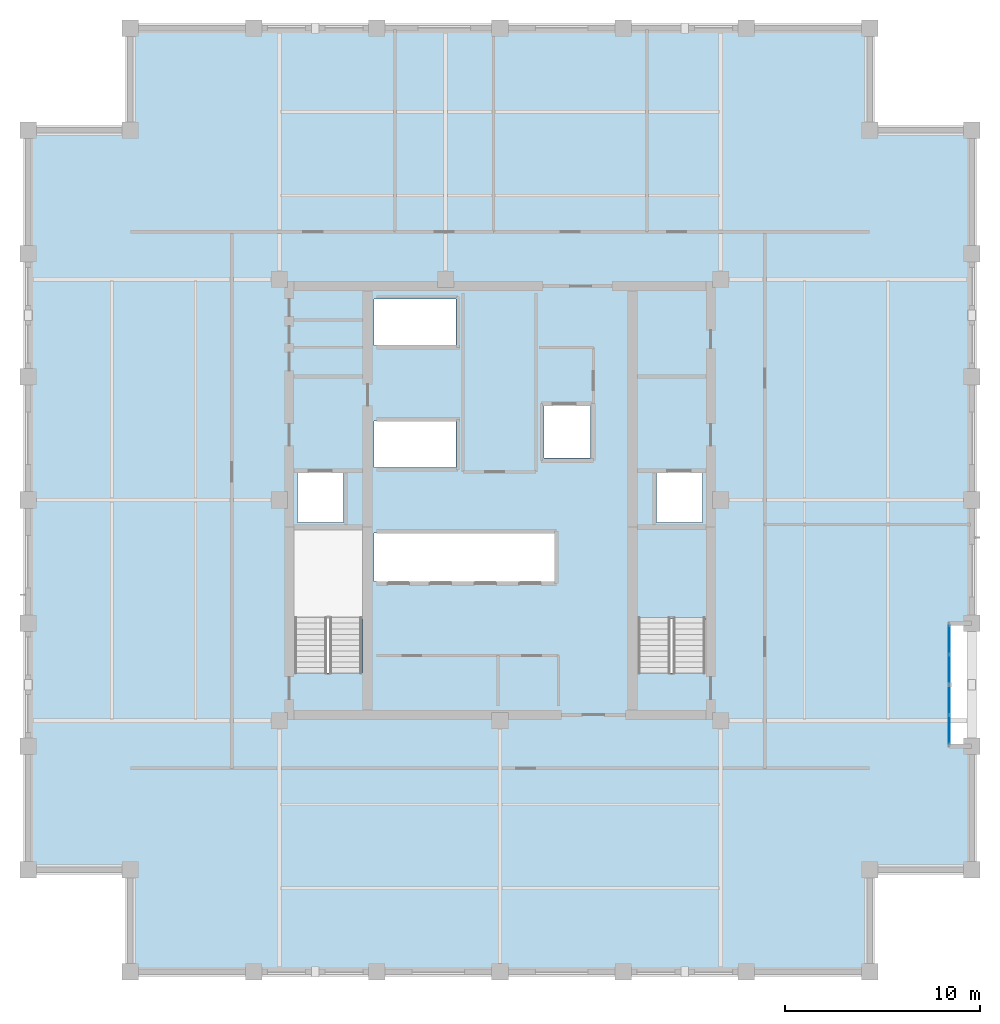
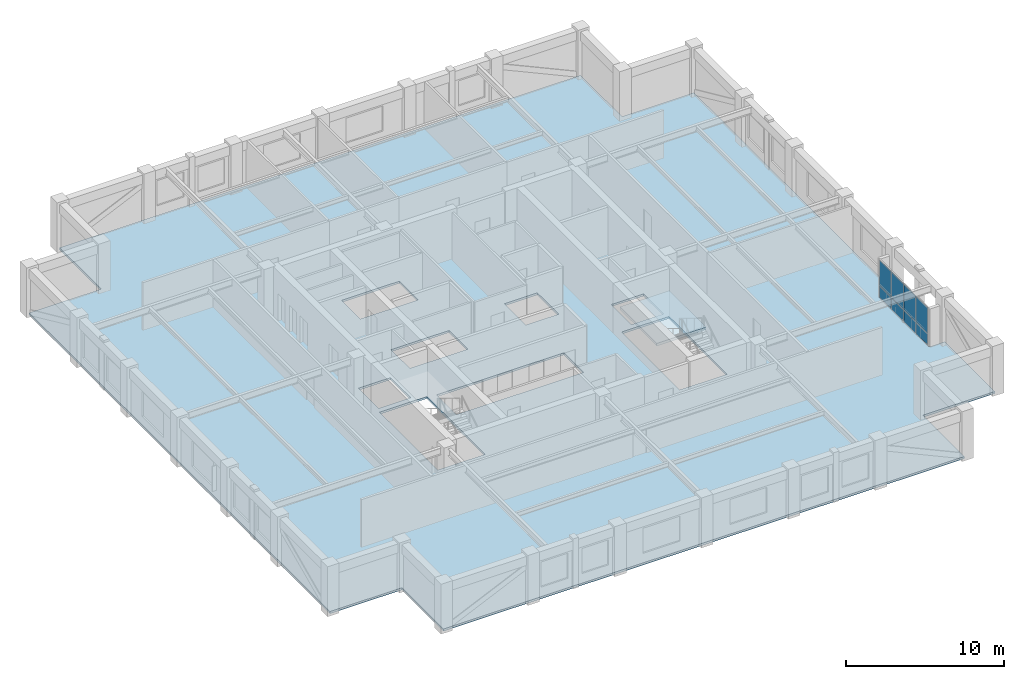
# One storey, part 5 of 11: 8 plates, 2 slabs, 2 elements without a shape of their own.
"""IFC4 building model written with IfcOpenShell, lengths in metres."""

import ifcopenshell
import ifcopenshell.guid

model = None  # the IFC model being written
_history = None  # IfcOwnerHistory: only IFC2X3 demands one
_inside = {}  # id of a spatial element -> (the spatial element, [elements in it])
_under = {}  # id of a project, library or spatial element -> (it, [spatial elements below it])
_declared = {}  # id of a project -> (the project, [libraries it declares])
_typed = {}  # id of a type object -> (the type object, [elements of that type])
_made_of = {}  # id of a material, layer set ... -> (it, [elements and type objects made of it])


def new_model(schema):
    """Start an empty IFC model of exactly this schema.

    Asked for "IFC4X3", IfcOpenShell would pick the latest addendum, in which some entities
    have other attributes; the version numbers below select the first issue.
    IFC2X3 requires an IfcOwnerHistory on every rooted entity: one is made here for all.
    """
    global model, _history
    if schema == "IFC4X3":
        model = ifcopenshell.file(schema_version=(4, 3, 0, 0))
    else:
        model = ifcopenshell.file(schema=schema)
    _inside.clear()
    _under.clear()
    _declared.clear()
    _typed.clear()
    _made_of.clear()
    _history = None
    if model.schema == "IFC2X3":
        org = make("IfcOrganization", Name="unknown")
        user = make(
            "IfcPersonAndOrganization",
            ThePerson=make("IfcPerson", FamilyName="unknown"),
            TheOrganization=org,
        )
        app = make(
            "IfcApplication",
            ApplicationDeveloper=org,
            Version="unknown",
            ApplicationFullName="unknown",
            ApplicationIdentifier="unknown",
        )
        _history = make(
            "IfcOwnerHistory",
            OwningUser=user,
            OwningApplication=app,
            ChangeAction="ADDED",
            CreationDate=0,
        )
    return model


def make(cls, **values):
    """One entity of the class cls with the attributes given. An attribute that is None is left unset."""
    return model.create_entity(
        cls, **{name: value for name, value in values.items() if value is not None}
    )


def rooted(cls, **values):
    """An entity with a GlobalId (a new one), such as an element, a storey or a relation."""
    return make(cls, GlobalId=ifcopenshell.guid.new(), OwnerHistory=_history, **values)


def si_unit(unit_type, name, prefix=None):
    """IfcSIUnit, for example si_unit("LENGTHUNIT", "METRE", prefix="MILLI")."""
    return make("IfcSIUnit", UnitType=unit_type, Prefix=prefix, Name=name)


def assignment(units):
    """IfcUnitAssignment: the units of a project."""
    return None if units is None else make("IfcUnitAssignment", Units=units)


def point(xyz):
    """IfcCartesianPoint."""
    return None if xyz is None else make("IfcCartesianPoint", Coordinates=xyz)


def direction(xyz):
    """IfcDirection."""
    return None if xyz is None else make("IfcDirection", DirectionRatios=xyz)


def frame(location, z_axis=None, x_axis=None):
    """IfcAxis2Placement3D, a coordinate frame: its origin and axes. An axis left out is left unset."""
    return make(
        "IfcAxis2Placement3D",
        Location=point(location),
        Axis=direction(z_axis),
        RefDirection=direction(x_axis),
    )


def frame_2d(location, x_axis=None):
    """IfcAxis2Placement2D, a coordinate frame in the plane: its origin and x axis."""
    return make(
        "IfcAxis2Placement2D", Location=point(location), RefDirection=direction(x_axis)
    )


def origin():
    """The frame at (0, 0, 0) with its axes left unset."""
    return frame((0.0, 0.0, 0.0))


def origin_2d():
    """The frame at (0, 0) in the plane with its x axis left unset."""
    return frame_2d((0.0, 0.0))


def place(relative_to, where):
    """IfcLocalPlacement: puts the frame where relative to a parent placement (None: the world)."""
    return make(
        "IfcLocalPlacement", PlacementRelTo=relative_to, RelativePlacement=where
    )


def context(
    kind, dimensions, precision=None, world=None, true_north=None, identifier=None
):
    """IfcGeometricRepresentationContext, for example the 3D "Model" context."""
    return make(
        "IfcGeometricRepresentationContext",
        ContextIdentifier=identifier,
        ContextType=kind,
        CoordinateSpaceDimension=dimensions,
        Precision=precision,
        WorldCoordinateSystem=world,
        TrueNorth=true_north,
    )


def subcontext(parent, identifier, kind, view, scale=None):
    """IfcGeometricRepresentationSubContext, for example "Body" below "Model"."""
    return make(
        "IfcGeometricRepresentationSubContext",
        ContextIdentifier=identifier,
        ContextType=kind,
        ParentContext=parent,
        TargetScale=scale,
        TargetView=view,
    )


def project(units=None, contexts=None):
    """IfcProject with its units and contexts."""
    return rooted(
        "IfcProject",
        Name="project",
        RepresentationContexts=contexts,
        UnitsInContext=assignment(units),
    )


def spatial(cls, under=None, at=None, **own):
    """A site, building, storey or space (cls), placed at a placement, below another one or the project."""
    s = rooted(cls, ObjectPlacement=at, **own)
    if under is not None:
        _under.setdefault(under.id(), (under, []))[1].append(s)
    return s


def polyline(points):
    """IfcPolyline through the points."""
    return make("IfcPolyline", Points=[point(p) for p in points])


def profile(cls, at=None, kind="AREA", **sizes):
    """A parametric profile (cls). Its sizes go by their IFC names, for example OverallWidth=200.0."""
    return make(cls, ProfileType=kind, Position=at, **sizes)


def rectangle(**sizes):
    """IfcRectangleProfileDef."""
    return profile("IfcRectangleProfileDef", **sizes)


def outline(outer, holes=None, kind="AREA"):
    """IfcArbitraryClosedProfileDef: a profile drawn as a closed curve; with holes, ...WithVoids."""
    if holes is None:
        return make("IfcArbitraryClosedProfileDef", ProfileType=kind, OuterCurve=outer)
    return make(
        "IfcArbitraryProfileDefWithVoids",
        ProfileType=kind,
        OuterCurve=outer,
        InnerCurves=holes,
    )


def extrude(swept, where, along, depth):
    """IfcExtrudedAreaSolid: the profile swept, set in the frame where, extruded along a direction by depth."""
    return make(
        "IfcExtrudedAreaSolid",
        SweptArea=swept,
        Position=where,
        ExtrudedDirection=direction(along),
        Depth=depth,
    )


def shape(context_of_items, identifier, shape_type, items):
    """IfcShapeRepresentation: the items that make up one representation, for example the "Body"."""
    return make(
        "IfcShapeRepresentation",
        ContextOfItems=context_of_items,
        RepresentationIdentifier=identifier,
        RepresentationType=shape_type,
        Items=items,
    )


def material(Name=None, Category=None):
    """IfcMaterial."""
    return make("IfcMaterial", Name=Name, Category=Category)


def layer(
    of_material, thickness, ventilated=None, Name=None, Category=None, Priority=None
):
    """IfcMaterialLayer: one layer of a wall or slab, of a material (None: an air gap)."""
    return make(
        "IfcMaterialLayer",
        Material=of_material,
        LayerThickness=thickness,
        IsVentilated=ventilated,
        Name=Name,
        Category=Category,
        Priority=Priority,
    )


def layer_set(layers, Name=None):
    """IfcMaterialLayerSet."""
    return make("IfcMaterialLayerSet", MaterialLayers=layers, LayerSetName=Name)


def made_of(thing, what):
    """Note that an element or type object is made of a material, layer set ...; save() writes the relation."""
    if what is not None:
        _made_of.setdefault(what.id(), (what, []))[1].append(thing)
    return thing


def type_object(cls, material=None, **own):
    """A type object (cls), such as IfcWallType, which elements share."""
    return made_of(rooted(cls, **own), material)


def element(
    cls,
    number,
    at=None,
    inside=None,
    cuts=None,
    type_object=None,
    material=None,
    context=None,
    identifier="Body",
    shape_type=None,
    held_by="IfcProductDefinitionShape",
    body=None,
    shapes=None,
    **own,
):
    """One element of the class cls, such as IfcWall. Its Tag is "e" and its number.

    at: its placement. inside: the storey or other place that contains it. cuts: it is an
    opening in that element (IfcRelVoidsElement). A single representation is given by context,
    identifier, shape_type and body (its items); several are given by shapes. held_by: the class
    of the entity that holds the representations. save() writes the other relations.
    """
    e = rooted(cls, Tag="e%d" % number, ObjectPlacement=at, **own)
    if body is not None:
        shapes = [shape(context, identifier, shape_type, body)]
    if shapes is not None:
        e.Representation = make(held_by, Representations=shapes)
    if inside is not None:
        _inside.setdefault(inside.id(), (inside, []))[1].append(e)
    if cuts is not None:
        rooted(
            "IfcRelVoidsElement", RelatingBuildingElement=cuts, RelatedOpeningElement=e
        )
    if type_object is not None:
        _typed.setdefault(type_object.id(), (type_object, []))[1].append(e)
    return made_of(e, material)


def aggregate(whole, parts):
    """IfcRelAggregates: a whole, such as a stair, and the parts it consists of."""
    return rooted("IfcRelAggregates", RelatingObject=whole, RelatedObjects=parts)


def save(model, path):
    """Write the relations noted so far, then the file.

    IfcRelAggregates (storeys below a building ...), IfcRelContainedInSpatialStructure (elements
    in a storey), IfcRelDefinesByType, IfcRelAssociatesMaterial and IfcRelDeclares: one each for
    every whole, place, type object, material and project.
    """
    for whole, parts in _under.values():
        aggregate(whole, parts)
    for where, things in _inside.values():
        rooted(
            "IfcRelContainedInSpatialStructure",
            RelatedElements=things,
            RelatingStructure=where,
        )
    for kind, things in _typed.values():
        rooted("IfcRelDefinesByType", RelatedObjects=things, RelatingType=kind)
    for what, things in _made_of.values():
        rooted("IfcRelAssociatesMaterial", RelatedObjects=things, RelatingMaterial=what)
    for by, libraries in _declared.values():
        rooted("IfcRelDeclares", RelatingContext=by, RelatedDefinitions=libraries)
    model.write(path)


model = new_model("IFC4")

# Units and contexts
model_context = context("Model", 3, precision=1e-05, world=origin(), true_north=direction((0.0, 1.0)))
body_context = subcontext(model_context, "Body", "Model", "MODEL_VIEW")
ifc_project = project(units=[si_unit("LENGTHUNIT", "METRE"), si_unit("AREAUNIT", "SQUARE_METRE"), si_unit("VOLUMEUNIT", "CUBIC_METRE"), si_unit("PLANEANGLEUNIT", "RADIAN"), si_unit("MASSUNIT", "GRAM", prefix="KILO")], contexts=[model_context])

# Site, building, storey
site_placement = place(None, origin())
site = spatial("IfcSite", under=ifc_project, at=site_placement, CompositionType="ELEMENT")
building_placement = place(site_placement, origin())
building = spatial("IfcBuilding", under=site, at=building_placement, Name="Nhamokura Convention Tower", CompositionType="ELEMENT")
storey_placement = place(building_placement, frame((0.0, 0.0, 244.64990234375)))
storey = spatial("IfcBuildingStorey", under=building, at=storey_placement, Name="L60", CompositionType="ELEMENT", Elevation=244.64990234375)

# Curtain wall, plates
ifc_material_1 = material(Name="Anodised bronze aluminium AA6063-T6", Category="aluminium")
ifc_layer_1 = layer(ifc_material_1, 0.155029296875)
ifc_layer_set_1 = layer_set([ifc_layer_1], Name="CWSystem_ScaleSlot_Zone3")
curtain_wall_type = type_object("IfcCurtainWallType", Name="CWSystem_ScaleSlot_Zone3", PredefinedType="NOTDEFINED", material=ifc_layer_set_1)
curtain_wall_placement = place(storey_placement, origin())
curtain_wall = element("IfcCurtainWall", 1, at=curtain_wall_placement, inside=storey, type_object=curtain_wall_type, Name="L60 Curtain Wall ENV-L60-SLOT-E1", PredefinedType="NOTDEFINED")
ifc_material_2 = material(Name="Solar-control bronze low-E double glass", Category="glass")
ifc_layer_2 = layer(ifc_material_2, 0.0400390625)
ifc_layer_set_2 = layer_set([ifc_layer_2], Name="CWGlazedPanel_3")
plate_type = type_object("IfcPlateType", Name="CWGlazedPanel_3", PredefinedType="CURTAIN_PANEL", material=ifc_layer_set_2)
plate_1_placement = place(storey_placement, frame((55.10009765625, 24.813720703125, 0.065185546875), z_axis=(0.0, 0.0, 1.0), x_axis=(0.0, -1.0, 0.0)))
plate_1 = element("IfcPlate", 2, at=plate_1_placement, type_object=plate_type, Name="CW-05 panel 1.1", PredefinedType="CURTAIN_PANEL", context=body_context, shape_type="SweptSolid", body=[
    extrude(rectangle(XDim=1.455810546875, YDim=0.0400390625, at=origin_2d()), origin(), (0.0, 0.0, 1.0), 0.8525390625),
])
plate_2_placement = place(storey_placement, frame((55.10009765625, 24.813720703125, 0.982666015625), z_axis=(0.0, 0.0, 1.0), x_axis=(0.0, -1.0, 0.0)))
plate_2 = element("IfcPlate", 3, at=plate_2_placement, type_object=plate_type, Name="CW-05 panel 1.2", PredefinedType="CURTAIN_PANEL", context=body_context, shape_type="SweptSolid", body=[
    extrude(rectangle(XDim=1.455810546875, YDim=0.0400390625, at=origin_2d()), origin(), (0.0, 0.0, 1.0), 1.9375),
])
plate_3_placement = place(storey_placement, frame((55.10009765625, 23.276611328125, 0.065185546875), z_axis=(0.0, 0.0, 1.0), x_axis=(0.0, -1.0, 0.0)))
plate_3 = element("IfcPlate", 4, at=plate_3_placement, type_object=plate_type, Name="CW-05 panel 2.1", PredefinedType="CURTAIN_PANEL", context=body_context, shape_type="SweptSolid", body=[
    extrude(rectangle(XDim=1.48828125, YDim=0.0400390625, at=origin_2d()), origin(), (0.0, 0.0, 1.0), 0.8525390625),
])
plate_4_placement = place(storey_placement, frame((55.10009765625, 23.276611328125, 0.982666015625), z_axis=(0.0, 0.0, 1.0), x_axis=(0.0, -1.0, 0.0)))
plate_4 = element("IfcPlate", 5, at=plate_4_placement, type_object=plate_type, Name="CW-05 panel 2.2", PredefinedType="CURTAIN_PANEL", context=body_context, shape_type="SweptSolid", body=[
    extrude(rectangle(XDim=1.48828125, YDim=0.0400390625, at=origin_2d()), origin(), (0.0, 0.0, 1.0), 1.9375),
])
plate_5_placement = place(storey_placement, frame((55.10009765625, 21.723388671875, 0.065185546875), z_axis=(0.0, 0.0, 1.0), x_axis=(0.0, -1.0, 0.0)))
plate_5 = element("IfcPlate", 6, at=plate_5_placement, type_object=plate_type, Name="CW-05 panel 3.1", PredefinedType="CURTAIN_PANEL", context=body_context, shape_type="SweptSolid", body=[
    extrude(rectangle(XDim=1.48828125, YDim=0.0400390625, at=origin_2d()), origin(), (0.0, 0.0, 1.0), 0.8525390625),
])
plate_6_placement = place(storey_placement, frame((55.10009765625, 21.723388671875, 0.982666015625), z_axis=(0.0, 0.0, 1.0), x_axis=(0.0, -1.0, 0.0)))
plate_6 = element("IfcPlate", 7, at=plate_6_placement, type_object=plate_type, Name="CW-05 panel 3.2", PredefinedType="CURTAIN_PANEL", context=body_context, shape_type="SweptSolid", body=[
    extrude(rectangle(XDim=1.48828125, YDim=0.0400390625, at=origin_2d()), origin(), (0.0, 0.0, 1.0), 1.9375),
])
plate_7_placement = place(storey_placement, frame((55.10009765625, 20.186279296875, 0.065185546875), z_axis=(0.0, 0.0, 1.0), x_axis=(0.0, -1.0, 0.0)))
plate_7 = element("IfcPlate", 8, at=plate_7_placement, type_object=plate_type, Name="CW-05 panel 4.1", PredefinedType="CURTAIN_PANEL", context=body_context, shape_type="SweptSolid", body=[
    extrude(rectangle(XDim=1.455810546875, YDim=0.0400390625, at=origin_2d()), origin(), (0.0, 0.0, 1.0), 0.8525390625),
])
plate_8_placement = place(storey_placement, frame((55.10009765625, 20.186279296875, 0.982666015625), z_axis=(0.0, 0.0, 1.0), x_axis=(0.0, -1.0, 0.0)))
plate_8 = element("IfcPlate", 9, at=plate_8_placement, type_object=plate_type, Name="CW-05 panel 4.2", PredefinedType="CURTAIN_PANEL", context=body_context, shape_type="SweptSolid", body=[
    extrude(rectangle(XDim=1.455810546875, YDim=0.0400390625, at=origin_2d()), origin(), (0.0, 0.0, 1.0), 1.9375),
])
aggregate(curtain_wall, [plate_1, plate_2, plate_3, plate_4, plate_5, plate_6, plate_7, plate_8])

# Slab
ifc_material_3 = material(Name="Concrete C40/50", Category="concrete")
ifc_layer_3 = layer(ifc_material_3, 0.1650390625)
ifc_layer_set_3 = layer_set([ifc_layer_3], Name="OfficeFloorSlab_165")
slab_type_1 = type_object("IfcSlabType", Name="OfficeFloorSlab_165", PredefinedType="FLOOR", material=ifc_layer_set_3)
slab_1_placement = place(storey_placement, frame((0.0, 0.0, -0.164794921875)))
element("IfcSlab", 10, at=slab_1_placement, inside=storey, type_object=slab_type_1, Name="L60 Structural Floor Slab", PredefinedType="FLOOR", context=body_context, shape_type="SweptSolid", body=[
    extrude(outline(polyline([(13.0, 7.75), (51.0, 7.75), (51.0, 13.0), (56.25, 13.0), (56.25, 19.333251953125), (55.10009765625, 19.333251953125), (55.10009765625, 25.666748046875), (56.25, 25.666748046875), (56.25, 51.0), (51.0, 51.0), (51.0, 56.25), (13.0, 56.25), (13.0, 51.0), (7.75, 51.0), (7.75, 13.0), (13.0, 13.0), (13.0, 7.75)]), holes=[polyline([(24.89990234375, 23.10009765625), (24.89990234375, 30.449951171875), (21.449951171875, 30.449951171875), (21.449951171875, 23.10009765625), (24.89990234375, 23.10009765625)]), polyline([(42.550048828125, 23.10009765625), (42.550048828125, 30.449951171875), (39.10009765625, 30.449951171875), (39.10009765625, 23.10009765625), (42.550048828125, 23.10009765625)]), polyline([(21.60009765625, 30.85009765625), (23.949951171875, 30.85009765625), (23.949951171875, 33.39990234375), (21.60009765625, 33.39990234375), (21.60009765625, 30.85009765625)]), polyline([(40.050048828125, 30.85009765625), (42.39990234375, 30.85009765625), (42.39990234375, 33.39990234375), (40.050048828125, 33.39990234375), (40.050048828125, 30.85009765625)]), polyline([(34.25, 34.14990234375), (36.64990234375, 34.14990234375), (36.64990234375, 36.85009765625), (34.25, 36.85009765625), (34.25, 34.14990234375)]), polyline([(25.52001953125, 27.800048828125), (34.800048828125, 27.800048828125), (34.800048828125, 30.300048828125), (25.52001953125, 30.300048828125), (25.52001953125, 27.800048828125)]), polyline([(25.52001953125, 33.679931640625), (29.75, 33.679931640625), (29.75, 36.050048828125), (25.52001953125, 36.050048828125), (25.52001953125, 33.679931640625)]), polyline([(25.52001953125, 39.949951171875), (29.75, 39.949951171875), (29.75, 42.320068359375), (25.52001953125, 42.320068359375), (25.52001953125, 39.949951171875)])]), origin(), (0.0, 0.0, 1.0), 0.164794921875),
])

# Stair, slab
ifc_material_4 = material(Name="Concrete C40/50", Category="concrete")
stair_type = type_object("IfcStairType", Name="TowerCoreStair_1650", PredefinedType="HALF_TURN_STAIR", material=ifc_material_4)
stair_placement = place(storey_placement, origin())
stair = element("IfcStair", 11, at=stair_placement, inside=storey, type_object=stair_type, Name="L60 East Core Smokeproof Stair ST-02", PredefinedType="HALF_TURN_STAIR")
ifc_material_5 = material(Name="Concrete C40/50", Category="concrete")
ifc_layer_4 = layer(ifc_material_5, 0.199951171875)
ifc_layer_set_4 = layer_set([ifc_layer_4], Name="StairLandingSlab_200")
slab_type_2 = type_object("IfcSlabType", Name="StairLandingSlab_200", PredefinedType="LANDING", material=ifc_layer_set_4)
slab_2_placement = place(storey_placement, frame((0.0, 0.0, 1.72509765625)))
slab_2 = element("IfcSlab", 12, at=slab_2_placement, type_object=slab_type_2, Name="ST-02 landing 1", PredefinedType="LANDING", context=body_context, shape_type="SweptSolid", body=[
    extrude(outline(polyline([(42.6298828125, 25.8701171875), (42.6298828125, 30.530029296875), (39.02001953125, 30.530029296875), (39.02001953125, 25.8701171875), (42.6298828125, 25.8701171875)])), origin(), (0.0, 0.0, 1.0), 0.199951171875),
])
aggregate(stair, [slab_2])

save(model, "model.ifc")
